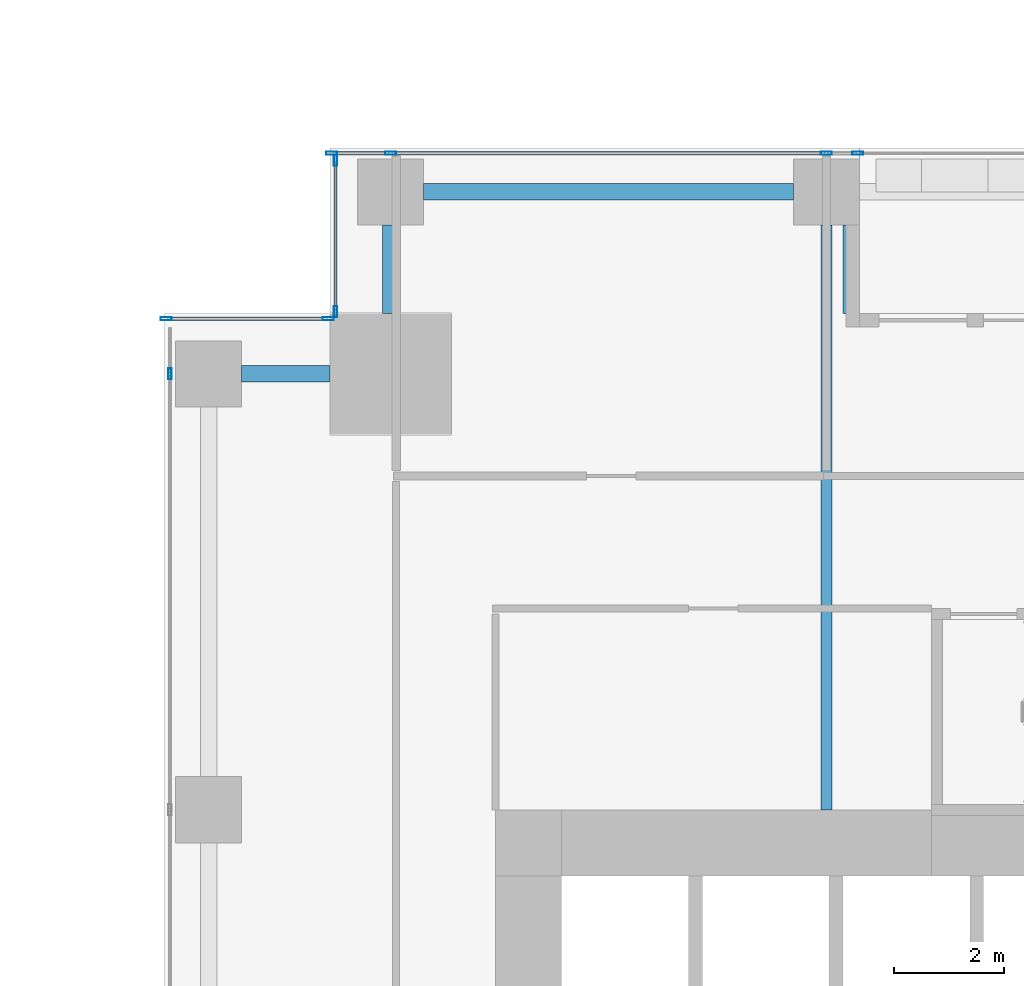
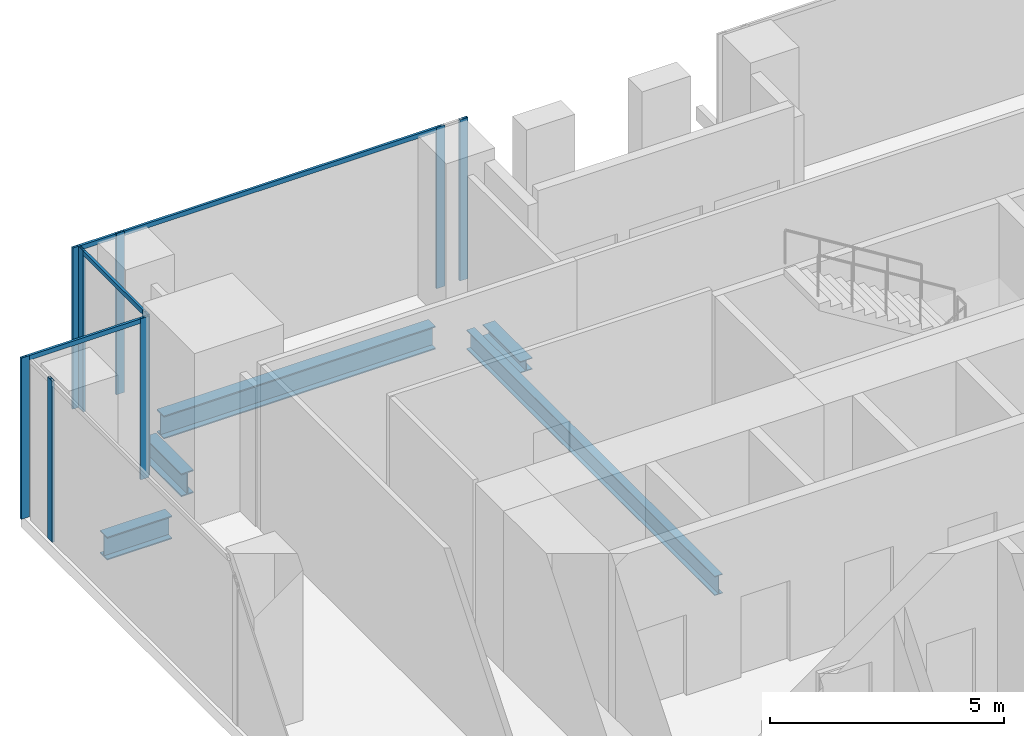
# One storey, part 14 of 33: 13 members, 5 beams, 4 elements without a shape of their own.
"""IFC4 building model written with IfcOpenShell, lengths in metres."""

import ifcopenshell
import ifcopenshell.guid

model = None  # the IFC model being written
_history = None  # IfcOwnerHistory: only IFC2X3 demands one
_inside = {}  # id of a spatial element -> (the spatial element, [elements in it])
_under = {}  # id of a project, library or spatial element -> (it, [spatial elements below it])
_declared = {}  # id of a project -> (the project, [libraries it declares])
_typed = {}  # id of a type object -> (the type object, [elements of that type])
_made_of = {}  # id of a material, layer set ... -> (it, [elements and type objects made of it])


def new_model(schema):
    """Start an empty IFC model of exactly this schema.

    Asked for "IFC4X3", IfcOpenShell would pick the latest addendum, in which some entities
    have other attributes; the version numbers below select the first issue.
    IFC2X3 requires an IfcOwnerHistory on every rooted entity: one is made here for all.
    """
    global model, _history
    if schema == "IFC4X3":
        model = ifcopenshell.file(schema_version=(4, 3, 0, 0))
    else:
        model = ifcopenshell.file(schema=schema)
    _inside.clear()
    _under.clear()
    _declared.clear()
    _typed.clear()
    _made_of.clear()
    _history = None
    if model.schema == "IFC2X3":
        org = make("IfcOrganization", Name="unknown")
        user = make(
            "IfcPersonAndOrganization",
            ThePerson=make("IfcPerson", FamilyName="unknown"),
            TheOrganization=org,
        )
        app = make(
            "IfcApplication",
            ApplicationDeveloper=org,
            Version="unknown",
            ApplicationFullName="unknown",
            ApplicationIdentifier="unknown",
        )
        _history = make(
            "IfcOwnerHistory",
            OwningUser=user,
            OwningApplication=app,
            ChangeAction="ADDED",
            CreationDate=0,
        )
    return model


def make(cls, **values):
    """One entity of the class cls with the attributes given. An attribute that is None is left unset."""
    return model.create_entity(
        cls, **{name: value for name, value in values.items() if value is not None}
    )


def rooted(cls, **values):
    """An entity with a GlobalId (a new one), such as an element, a storey or a relation."""
    return make(cls, GlobalId=ifcopenshell.guid.new(), OwnerHistory=_history, **values)


def si_unit(unit_type, name, prefix=None):
    """IfcSIUnit, for example si_unit("LENGTHUNIT", "METRE", prefix="MILLI")."""
    return make("IfcSIUnit", UnitType=unit_type, Prefix=prefix, Name=name)


def assignment(units):
    """IfcUnitAssignment: the units of a project."""
    return None if units is None else make("IfcUnitAssignment", Units=units)


def point(xyz):
    """IfcCartesianPoint."""
    return None if xyz is None else make("IfcCartesianPoint", Coordinates=xyz)


def direction(xyz):
    """IfcDirection."""
    return None if xyz is None else make("IfcDirection", DirectionRatios=xyz)


def frame(location, z_axis=None, x_axis=None):
    """IfcAxis2Placement3D, a coordinate frame: its origin and axes. An axis left out is left unset."""
    return make(
        "IfcAxis2Placement3D",
        Location=point(location),
        Axis=direction(z_axis),
        RefDirection=direction(x_axis),
    )


def frame_2d(location, x_axis=None):
    """IfcAxis2Placement2D, a coordinate frame in the plane: its origin and x axis."""
    return make(
        "IfcAxis2Placement2D", Location=point(location), RefDirection=direction(x_axis)
    )


def origin():
    """The frame at (0, 0, 0) with its axes left unset."""
    return frame((0.0, 0.0, 0.0))


def origin_2d():
    """The frame at (0, 0) in the plane with its x axis left unset."""
    return frame_2d((0.0, 0.0))


def place(relative_to, where):
    """IfcLocalPlacement: puts the frame where relative to a parent placement (None: the world)."""
    return make(
        "IfcLocalPlacement", PlacementRelTo=relative_to, RelativePlacement=where
    )


def context(
    kind, dimensions, precision=None, world=None, true_north=None, identifier=None
):
    """IfcGeometricRepresentationContext, for example the 3D "Model" context."""
    return make(
        "IfcGeometricRepresentationContext",
        ContextIdentifier=identifier,
        ContextType=kind,
        CoordinateSpaceDimension=dimensions,
        Precision=precision,
        WorldCoordinateSystem=world,
        TrueNorth=true_north,
    )


def subcontext(parent, identifier, kind, view, scale=None):
    """IfcGeometricRepresentationSubContext, for example "Body" below "Model"."""
    return make(
        "IfcGeometricRepresentationSubContext",
        ContextIdentifier=identifier,
        ContextType=kind,
        ParentContext=parent,
        TargetScale=scale,
        TargetView=view,
    )


def project(units=None, contexts=None):
    """IfcProject with its units and contexts."""
    return rooted(
        "IfcProject",
        Name="project",
        RepresentationContexts=contexts,
        UnitsInContext=assignment(units),
    )


def spatial(cls, under=None, at=None, **own):
    """A site, building, storey or space (cls), placed at a placement, below another one or the project."""
    s = rooted(cls, ObjectPlacement=at, **own)
    if under is not None:
        _under.setdefault(under.id(), (under, []))[1].append(s)
    return s


def profile(cls, at=None, kind="AREA", **sizes):
    """A parametric profile (cls). Its sizes go by their IFC names, for example OverallWidth=200.0."""
    return make(cls, ProfileType=kind, Position=at, **sizes)


def hollow_rectangle(**sizes):
    """IfcRectangleHollowProfileDef."""
    return profile("IfcRectangleHollowProfileDef", **sizes)


def i_section(**sizes):
    """IfcIShapeProfileDef."""
    return profile("IfcIShapeProfileDef", **sizes)


def extrude(swept, where, along, depth):
    """IfcExtrudedAreaSolid: the profile swept, set in the frame where, extruded along a direction by depth."""
    return make(
        "IfcExtrudedAreaSolid",
        SweptArea=swept,
        Position=where,
        ExtrudedDirection=direction(along),
        Depth=depth,
    )


def shape(context_of_items, identifier, shape_type, items):
    """IfcShapeRepresentation: the items that make up one representation, for example the "Body"."""
    return make(
        "IfcShapeRepresentation",
        ContextOfItems=context_of_items,
        RepresentationIdentifier=identifier,
        RepresentationType=shape_type,
        Items=items,
    )


def source(mapping_origin, context_of_items, identifier, shape_type, items):
    """IfcRepresentationMap: a shape defined once, which mapped items show again and again."""
    return make(
        "IfcRepresentationMap",
        MappingOrigin=mapping_origin,
        MappedRepresentation=shape(context_of_items, identifier, shape_type, items),
    )


def transform(
    local_origin,
    x_axis=None,
    y_axis=None,
    z_axis=None,
    scale=None,
    scale2=None,
    scale3=None,
    uniform=True,
):
    """IfcCartesianTransformationOperator3D, or its non-uniform kind. x_axis, y_axis, z_axis: its Axis1, 2, 3."""
    if uniform:
        return make(
            "IfcCartesianTransformationOperator3D",
            Axis1=direction(x_axis),
            Axis2=direction(y_axis),
            LocalOrigin=point(local_origin),
            Scale=scale,
            Axis3=direction(z_axis),
        )
    return make(
        "IfcCartesianTransformationOperator3DnonUniform",
        Axis1=direction(x_axis),
        Axis2=direction(y_axis),
        LocalOrigin=point(local_origin),
        Scale=scale,
        Axis3=direction(z_axis),
        Scale2=scale2,
        Scale3=scale3,
    )


def mapped(mapping_source, mapping_target):
    """IfcMappedItem: shows the shape of a source again, moved by a transform."""
    return make(
        "IfcMappedItem", MappingSource=mapping_source, MappingTarget=mapping_target
    )


def material(Name=None, Category=None):
    """IfcMaterial."""
    return make("IfcMaterial", Name=Name, Category=Category)


def material_profile(
    of_material, cross_section, Name=None, Category=None, Priority=None
):
    """IfcMaterialProfile: a cross section and its material."""
    return make(
        "IfcMaterialProfile",
        Name=Name,
        Material=of_material,
        Profile=cross_section,
        Priority=Priority,
        Category=Category,
    )


def profile_set(profiles, Name=None, composite=None):
    """IfcMaterialProfileSet."""
    return make(
        "IfcMaterialProfileSet",
        Name=Name,
        MaterialProfiles=profiles,
        CompositeProfile=composite,
    )


def made_of(thing, what):
    """Note that an element or type object is made of a material, layer set ...; save() writes the relation."""
    if what is not None:
        _made_of.setdefault(what.id(), (what, []))[1].append(thing)
    return thing


def type_object(cls, material=None, **own):
    """A type object (cls), such as IfcWallType, which elements share."""
    return made_of(rooted(cls, **own), material)


def element(
    cls,
    number,
    at=None,
    inside=None,
    cuts=None,
    type_object=None,
    material=None,
    context=None,
    identifier="Body",
    shape_type=None,
    held_by="IfcProductDefinitionShape",
    body=None,
    shapes=None,
    **own,
):
    """One element of the class cls, such as IfcWall. Its Tag is "e" and its number.

    at: its placement. inside: the storey or other place that contains it. cuts: it is an
    opening in that element (IfcRelVoidsElement). A single representation is given by context,
    identifier, shape_type and body (its items); several are given by shapes. held_by: the class
    of the entity that holds the representations. save() writes the other relations.
    """
    e = rooted(cls, Tag="e%d" % number, ObjectPlacement=at, **own)
    if body is not None:
        shapes = [shape(context, identifier, shape_type, body)]
    if shapes is not None:
        e.Representation = make(held_by, Representations=shapes)
    if inside is not None:
        _inside.setdefault(inside.id(), (inside, []))[1].append(e)
    if cuts is not None:
        rooted(
            "IfcRelVoidsElement", RelatingBuildingElement=cuts, RelatedOpeningElement=e
        )
    if type_object is not None:
        _typed.setdefault(type_object.id(), (type_object, []))[1].append(e)
    return made_of(e, material)


def aggregate(whole, parts):
    """IfcRelAggregates: a whole, such as a stair, and the parts it consists of."""
    return rooted("IfcRelAggregates", RelatingObject=whole, RelatedObjects=parts)


def save(model, path):
    """Write the relations noted so far, then the file.

    IfcRelAggregates (storeys below a building ...), IfcRelContainedInSpatialStructure (elements
    in a storey), IfcRelDefinesByType, IfcRelAssociatesMaterial and IfcRelDeclares: one each for
    every whole, place, type object, material and project.
    """
    for whole, parts in _under.values():
        aggregate(whole, parts)
    for where, things in _inside.values():
        rooted(
            "IfcRelContainedInSpatialStructure",
            RelatedElements=things,
            RelatingStructure=where,
        )
    for kind, things in _typed.values():
        rooted("IfcRelDefinesByType", RelatedObjects=things, RelatingType=kind)
    for what, things in _made_of.values():
        rooted("IfcRelAssociatesMaterial", RelatedObjects=things, RelatingMaterial=what)
    for by, libraries in _declared.values():
        rooted("IfcRelDeclares", RelatingContext=by, RelatedDefinitions=libraries)
    model.write(path)


model = new_model("IFC4")

# Units and contexts
model_context = context("Model", 3, precision=1e-05, world=origin(), true_north=direction((0.0, 1.0)))
body_context = subcontext(model_context, "Body", "Model", "MODEL_VIEW")
ifc_project = project(units=[si_unit("LENGTHUNIT", "METRE"), si_unit("AREAUNIT", "SQUARE_METRE"), si_unit("VOLUMEUNIT", "CUBIC_METRE"), si_unit("PLANEANGLEUNIT", "RADIAN"), si_unit("MASSUNIT", "GRAM", prefix="KILO")], contexts=[model_context])

# Site, building, storey
site_placement = place(None, origin())
site = spatial("IfcSite", under=ifc_project, at=site_placement, CompositionType="ELEMENT")
building_placement = place(site_placement, origin())
building = spatial("IfcBuilding", under=site, at=building_placement, Name="Khomas Fold Tower", CompositionType="ELEMENT")
storey_placement = place(building_placement, frame((0.0, 0.0, 78.0)))
storey = spatial("IfcBuildingStorey", under=building, at=storey_placement, Name="L16", CompositionType="ELEMENT", Elevation=78.0)

# Beams
ifc_material_1 = material(Name="Steel S355", Category="steel")
ifc_material_profile_1 = material_profile(ifc_material_1, i_section(OverallWidth=0.199951171875, OverallDepth=0.5, WebThickness=0.01025390625, FlangeThickness=0.01611328125, at=origin_2d()), Name="IPE 500")
ifc_profile_set_1 = profile_set([ifc_material_profile_1], Name="Steel S355")
beam_type_1 = type_object("IfcBeamType", Name="IPE 500 beam JB5", PredefinedType="BEAM", material=ifc_profile_set_1)
shared_shape_1 = source(origin(), body_context, "Body", "SweptSolid", [
    extrude(i_section(OverallWidth=0.199951171875, OverallDepth=0.5, WebThickness=0.01025390625, FlangeThickness=0.01611328125, at=origin_2d()), origin(), (0.0, 0.0, 1.0), 10.60009765625),
])
beam_1_placement = place(storey_placement, frame((12.0, 42.0, -0.550048828125), z_axis=(0.0, 1.0, 0.0), x_axis=(-1.0, 0.0, 0.0)))
element("IfcBeam", 1, at=beam_1_placement, inside=storey, type_object=beam_type_1, Name="JB5", PredefinedType="BEAM", context=body_context, shape_type="MappedRepresentation", body=[
    mapped(shared_shape_1, transform((0.0, 0.0, 0.0))),
])
ifc_material_2 = material(Name="Steel S355", Category="steel")
ifc_material_profile_2 = material_profile(ifc_material_2, i_section(OverallWidth=0.300048828125, OverallDepth=0.60009765625, WebThickness=0.015380859375, FlangeThickness=0.030029296875, at=origin_2d()), Name="HE 600 B")
ifc_profile_set_2 = profile_set([ifc_material_profile_2], Name="Steel S355")
beam_type_2 = type_object("IfcBeamType", Name="HE 600 B spandrel SB1", PredefinedType="SPANDREL", material=ifc_profile_set_2)
shared_shape_2 = source(origin(), body_context, "Body", "SweptSolid", [
    extrude(i_section(OverallWidth=0.300048828125, OverallDepth=0.60009765625, WebThickness=0.015380859375, FlangeThickness=0.030029296875, at=origin_2d()), origin(), (0.0, 0.0, 1.0), 6.699951171875),
])
beam_2_placement = place(storey_placement, frame((4.699951171875, 53.199951171875, -0.60009765625), z_axis=(1.0, 0.0, 0.0), x_axis=(0.0, 1.0, 0.0)))
element("IfcBeam", 2, at=beam_2_placement, inside=storey, type_object=beam_type_2, Name="SB1", PredefinedType="SPANDREL", context=body_context, shape_type="MappedRepresentation", body=[
    mapped(shared_shape_2, transform((0.0, 0.0, 0.0))),
])
shared_shape_3 = source(origin(), body_context, "Body", "SweptSolid", [
    extrude(i_section(OverallWidth=0.300048828125, OverallDepth=0.60009765625, WebThickness=0.015380859375, FlangeThickness=0.030029296875, at=origin_2d()), origin(), (0.0, 0.0, 1.0), 1.60009765625),
])
for number, where, z_axis, x_axis, name in (
    (3, (4.10009765625, 51.0, -0.60009765625), (0.0, 1.0, 0.0), (-1.0, 0.0, 0.0), "SB1"),
    (4, (1.39990234375, 49.89990234375, -0.60009765625), (1.0, 0.0, 0.0), (0.0, 1.0, 0.0), "SB1"),
):
    element("IfcBeam", number, at=place(storey_placement, frame(where, z_axis=z_axis, x_axis=x_axis)), inside=storey, type_object=beam_type_2, Name=name, PredefinedType="SPANDREL", context=body_context, shape_type="MappedRepresentation", body=[
        mapped(shared_shape_3, transform((0.0, 0.0, 0.0))),
    ])
ifc_material_3 = material(Name="Steel S355", Category="steel")
ifc_material_profile_3 = material_profile(ifc_material_3, i_section(OverallWidth=0.300048828125, OverallDepth=0.300048828125, WebThickness=0.010986328125, FlangeThickness=0.01904296875, at=origin_2d()), Name="HE 300 B")
ifc_profile_set_3 = profile_set([ifc_material_profile_3], Name="Steel S355")
beam_type_3 = type_object("IfcBeamType", Name="HE 300 B beam BB1", PredefinedType="BEAM", material=ifc_profile_set_3)
shared_shape_4 = source(origin(), body_context, "Body", "SweptSolid", [
    extrude(i_section(OverallWidth=0.300048828125, OverallDepth=0.300048828125, WebThickness=0.010986328125, FlangeThickness=0.01904296875, at=origin_2d()), origin(), (0.0, 0.0, 1.0), 1.60009765625),
])
beam_3_placement = place(storey_placement, frame((12.449951171875, 51.0, -0.449951171875), z_axis=(0.0, 1.0, 0.0), x_axis=(-1.0, 0.0, 0.0)))
element("IfcBeam", 5, at=beam_3_placement, inside=storey, type_object=beam_type_3, Name="BB1", PredefinedType="BEAM", context=body_context, shape_type="MappedRepresentation", body=[
    mapped(shared_shape_4, transform((0.0, 0.0, 0.0))),
])

# Curtain wall, members
ifc_material_4 = material(Name="Aluminium framed double glazing", Category="aluminium")
curtain_wall_type = type_object("IfcCurtainWallType", Name="SK-Unitised clear-glass wall, growing floors CW1", PredefinedType="NOTDEFINED", material=ifc_material_4)
curtain_wall_1_placement = place(storey_placement, origin())
curtain_wall_1 = element("IfcCurtainWall", 6, at=curtain_wall_1_placement, inside=storey, type_object=curtain_wall_type, Name="CW1 run L16 06-1", PredefinedType="NOTDEFINED")
ifc_material_5 = material(Name="Aluminium", Category="aluminium")
ifc_material_profile_4 = material_profile(ifc_material_5, hollow_rectangle(XDim=0.06005859375, YDim=0.1201171875, WallThickness=0.00390625, at=origin_2d()), Name="SK-Unitised clear-glass wall, growing floors transom CW1-T")
ifc_profile_set_4 = profile_set([ifc_material_profile_4], Name="Aluminium")
member_type_1 = type_object("IfcMemberType", Name="SK-Unitised clear-glass wall, growing floors transom CW1-T", PredefinedType="USERDEFINED", material=ifc_profile_set_4)
shared_shape_5 = source(origin(), body_context, "Body", "SweptSolid", [
    extrude(hollow_rectangle(XDim=0.06005859375, YDim=0.1201171875, WallThickness=0.00390625, at=origin_2d()), origin(), (0.0, 0.0, 1.0), 7.840087890625),
])
member_1_placement = place(storey_placement, frame((11.969970703125, 53.89990234375, 4.139892578125), z_axis=(-1.0, 0.0, 0.0), x_axis=(0.0, -1.0, 0.0)))
member_1 = element("IfcMember", 7, at=member_1_placement, type_object=member_type_1, Name="CW1 transom 2", ObjectType="TRANSOM", PredefinedType="USERDEFINED", context=body_context, shape_type="MappedRepresentation", body=[
    mapped(shared_shape_5, transform((0.0, 0.0, 0.0))),
])
shared_shape_6 = source(origin(), body_context, "Body", "SweptSolid", [
    extrude(hollow_rectangle(XDim=0.06005859375, YDim=0.1201171875, WallThickness=0.00390625, at=origin_2d()), origin(), (0.0, 0.0, 1.0), 1.010009765625),
])
member_2_placement = place(storey_placement, frame((4.070068359375, 53.89990234375, 4.139892578125), z_axis=(-1.0, 0.0, 0.0), x_axis=(0.0, -1.0, 0.0)))
member_2 = element("IfcMember", 8, at=member_2_placement, type_object=member_type_1, Name="CW1 transom 3", ObjectType="TRANSOM", PredefinedType="USERDEFINED", context=body_context, shape_type="MappedRepresentation", body=[
    mapped(shared_shape_6, transform((0.0, 0.0, 0.0))),
])

# Curtain wall, member
curtain_wall_2_placement = place(storey_placement, origin())
curtain_wall_2 = element("IfcCurtainWall", 9, at=curtain_wall_2_placement, inside=storey, type_object=curtain_wall_type, Name="CW1 corner return L16 07", PredefinedType="NOTDEFINED")
shared_shape_7 = source(origin(), body_context, "Body", "SweptSolid", [
    extrude(hollow_rectangle(XDim=0.06005859375, YDim=0.1201171875, WallThickness=0.00390625, at=origin_2d()), origin(), (0.0, 0.0, 1.0), 2.679931640625),
])
member_3_placement = place(storey_placement, frame((3.10009765625, 53.739990234375, 4.139892578125), z_axis=(0.0, -1.0, 0.0), x_axis=(1.0, 0.0, 0.0)))
member_3 = element("IfcMember", 10, at=member_3_placement, type_object=member_type_1, Name="CW1 transom 1", ObjectType="TRANSOM", PredefinedType="USERDEFINED", context=body_context, shape_type="MappedRepresentation", body=[
    mapped(shared_shape_7, transform((0.0, 0.0, 0.0))),
])

curtain_wall_3_placement = place(storey_placement, origin())
curtain_wall_3 = element("IfcCurtainWall", 11, at=curtain_wall_3_placement, inside=storey, type_object=curtain_wall_type, Name="CW1 corner return L16 08", PredefinedType="NOTDEFINED")
shared_shape_8 = source(origin(), body_context, "Body", "SweptSolid", [
    extrude(hollow_rectangle(XDim=0.06005859375, YDim=0.1201171875, WallThickness=0.00390625, at=origin_2d()), origin(), (0.0, 0.0, 1.0), 2.8798828125),
])
member_4_placement = place(storey_placement, frame((2.93994140625, 50.89990234375, 4.139892578125), z_axis=(-1.0, 0.0, 0.0), x_axis=(0.0, -1.0, 0.0)))
member_4 = element("IfcMember", 12, at=member_4_placement, type_object=member_type_1, Name="CW1 transom 1", ObjectType="TRANSOM", PredefinedType="USERDEFINED", context=body_context, shape_type="MappedRepresentation", body=[
    mapped(shared_shape_8, transform((0.0, 0.0, 0.0))),
])

# Member
ifc_material_6 = material(Name="Aluminium", Category="aluminium")
ifc_material_profile_5 = material_profile(ifc_material_6, hollow_rectangle(XDim=0.06005859375, YDim=0.199951171875, WallThickness=0.00390625, at=origin_2d()), Name="SK-Unitised clear-glass wall, growing floors mullion CW1-M")
ifc_profile_set_5 = profile_set([ifc_material_profile_5], Name="Aluminium")
member_type_2 = type_object("IfcMemberType", Name="SK-Unitised clear-glass wall, growing floors mullion CW1-M", PredefinedType="MULLION", material=ifc_profile_set_5)
shared_shape_9 = source(origin(), body_context, "Body", "SweptSolid", [
    extrude(hollow_rectangle(XDim=0.06005859375, YDim=0.199951171875, WallThickness=0.00390625, at=origin_2d()), origin(), (0.0, 0.0, 1.0), 4.199951171875),
])
member_5_placement = place(storey_placement, frame((12.570068359375, 53.89990234375, 0.0), z_axis=(0.0, 0.0, 1.0), x_axis=(0.0, -1.0, 0.0)))
member_5 = element("IfcMember", 13, at=member_5_placement, type_object=member_type_2, Name="CW1 mullion 1", PredefinedType="MULLION", context=body_context, shape_type="MappedRepresentation", body=[
    mapped(shared_shape_9, transform((0.0, 0.0, 0.0))),
])

member_6_placement = place(storey_placement, frame((12.0, 53.89990234375, 0.0), z_axis=(0.0, 0.0, 1.0), x_axis=(0.0, -1.0, 0.0)))
member_6 = element("IfcMember", 14, at=member_6_placement, type_object=member_type_2, Name="CW1 mullion 2", PredefinedType="MULLION", context=body_context, shape_type="MappedRepresentation", body=[
    mapped(shared_shape_9, transform((0.0, 0.0, 0.0))),
])

member_7_placement = place(storey_placement, frame((4.10009765625, 53.89990234375, 0.0), z_axis=(0.0, 0.0, 1.0), x_axis=(0.0, -1.0, 0.0)))
member_7 = element("IfcMember", 15, at=member_7_placement, type_object=member_type_2, Name="CW1 mullion 3", PredefinedType="MULLION", context=body_context, shape_type="MappedRepresentation", body=[
    mapped(shared_shape_9, transform((0.0, 0.0, 0.0))),
])

member_8_placement = place(storey_placement, frame((3.030029296875, 53.89990234375, 0.0), z_axis=(0.0, 0.0, 1.0), x_axis=(0.0, -1.0, 0.0)))
member_8 = element("IfcMember", 16, at=member_8_placement, type_object=member_type_2, Name="CW1 mullion 4", PredefinedType="MULLION", context=body_context, shape_type="MappedRepresentation", body=[
    mapped(shared_shape_9, transform((0.0, 0.0, 0.0))),
])

aggregate(curtain_wall_1, [member_5, member_6, member_7, member_8, member_1, member_2])

member_9_placement = place(storey_placement, frame((3.10009765625, 53.77001953125, 0.0), z_axis=(0.0, 0.0, 1.0), x_axis=(1.0, 0.0, 0.0)))
member_9 = element("IfcMember", 17, at=member_9_placement, type_object=member_type_2, Name="CW1 mullion 1", PredefinedType="MULLION", context=body_context, shape_type="MappedRepresentation", body=[
    mapped(shared_shape_9, transform((0.0, 0.0, 0.0))),
])

member_10_placement = place(storey_placement, frame((3.10009765625, 51.030029296875, 0.0), z_axis=(0.0, 0.0, 1.0), x_axis=(1.0, 0.0, 0.0)))
member_10 = element("IfcMember", 18, at=member_10_placement, type_object=member_type_2, Name="CW1 mullion 2", PredefinedType="MULLION", context=body_context, shape_type="MappedRepresentation", body=[
    mapped(shared_shape_9, transform((0.0, 0.0, 0.0))),
])

aggregate(curtain_wall_2, [member_9, member_10, member_3])

member_11_placement = place(storey_placement, frame((2.969970703125, 50.89990234375, 0.0), z_axis=(0.0, 0.0, 1.0), x_axis=(0.0, -1.0, 0.0)))
member_11 = element("IfcMember", 19, at=member_11_placement, type_object=member_type_2, Name="CW1 mullion 1", PredefinedType="MULLION", context=body_context, shape_type="MappedRepresentation", body=[
    mapped(shared_shape_9, transform((0.0, 0.0, 0.0))),
])

member_12_placement = place(storey_placement, frame((0.030029296875, 50.89990234375, 0.0), z_axis=(0.0, 0.0, 1.0), x_axis=(0.0, -1.0, 0.0)))
member_12 = element("IfcMember", 20, at=member_12_placement, type_object=member_type_2, Name="CW1 mullion 2", PredefinedType="MULLION", context=body_context, shape_type="MappedRepresentation", body=[
    mapped(shared_shape_9, transform((0.0, 0.0, 0.0))),
])

aggregate(curtain_wall_3, [member_11, member_12, member_4])

# Curtain wall, member
curtain_wall_4_placement = place(storey_placement, origin())
curtain_wall_4 = element("IfcCurtainWall", 21, at=curtain_wall_4_placement, inside=storey, type_object=curtain_wall_type, Name="CW1 run L16 09-0", PredefinedType="NOTDEFINED")
member_13_placement = place(storey_placement, frame((0.10009765625, 49.89990234375, 0.0), z_axis=(0.0, 0.0, 1.0), x_axis=(1.0, 0.0, 0.0)))
member_13 = element("IfcMember", 22, at=member_13_placement, type_object=member_type_2, Name="CW1 mullion 2", PredefinedType="MULLION", context=body_context, shape_type="MappedRepresentation", body=[
    mapped(shared_shape_9, transform((0.0, 0.0, 0.0))),
])
aggregate(curtain_wall_4, [member_13])

save(model, "model.ifc")
